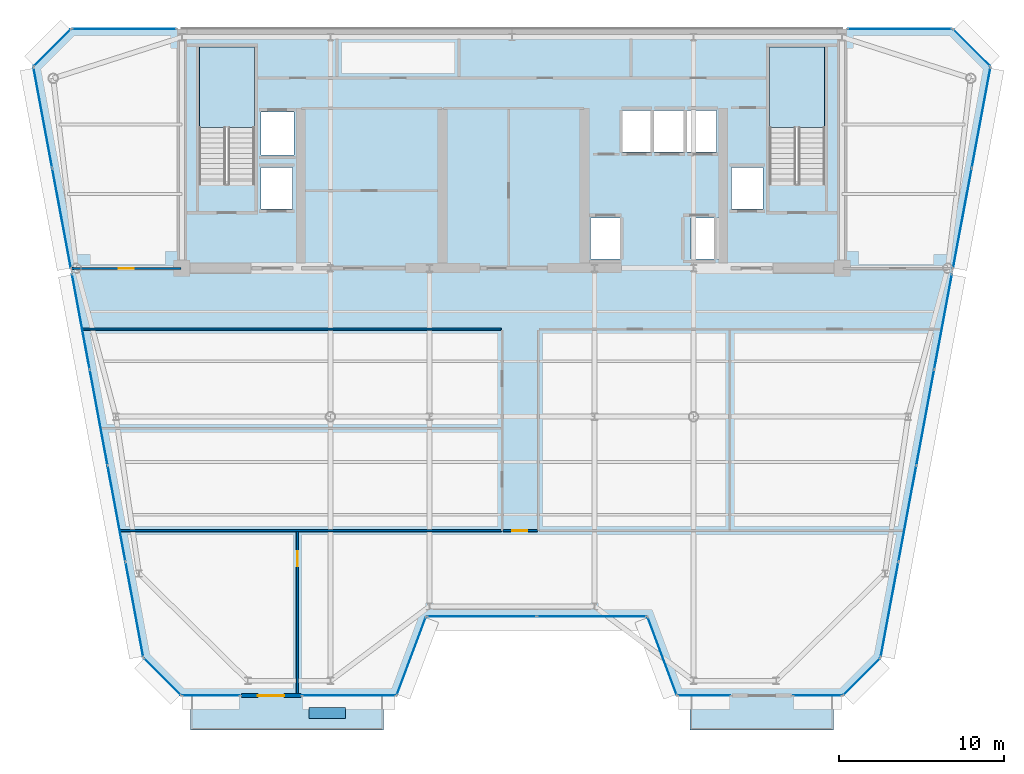
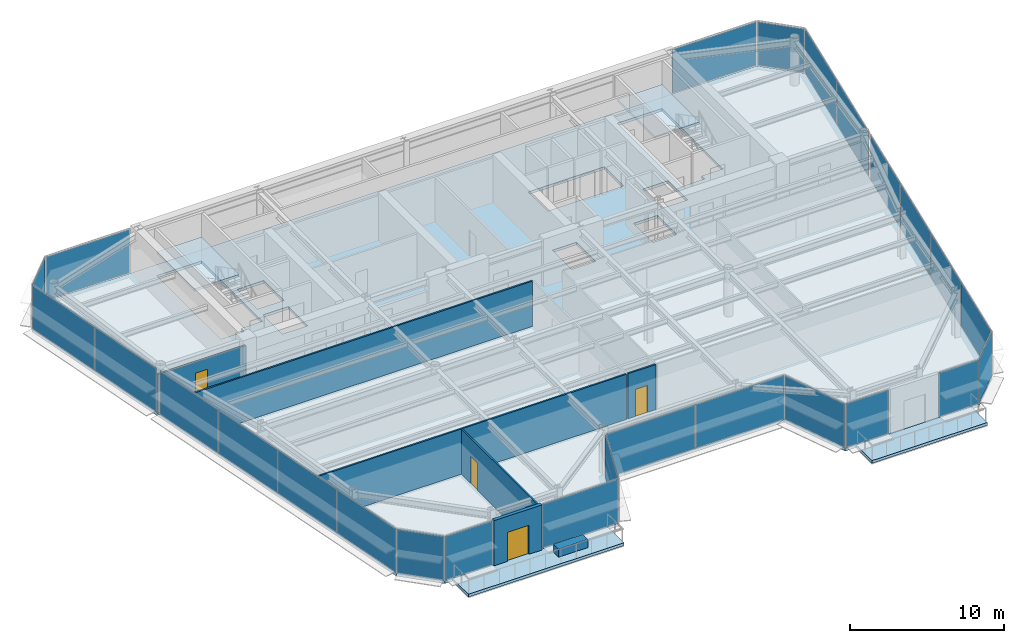
# One storey, part 8 of 14: 26 plates, 7 walls, 5 slabs, 4 doors, 4 openings, 19 elements without a shape of their own.
"""IFC4 building model written with IfcOpenShell, lengths in metres."""

from ifc_helpers import new_model, si_unit, direction, frame, frame_2d, origin, origin_2d, place, context, subcontext, project, spatial, polyline, rectangle, outline, extrude, source, transform, mapped, material, layer, layer_set, type_object, element, fill, aggregate, save


model = new_model("IFC4")

# Units and contexts
model_context = context("Model", 3, precision=1e-05, world=origin(), true_north=direction((0.0, 1.0)))
body_context = subcontext(model_context, "Body", "Model", "MODEL_VIEW")
ifc_project = project(units=[si_unit("LENGTHUNIT", "METRE"), si_unit("AREAUNIT", "SQUARE_METRE"), si_unit("VOLUMEUNIT", "CUBIC_METRE"), si_unit("PLANEANGLEUNIT", "RADIAN"), si_unit("MASSUNIT", "GRAM", prefix="KILO")], contexts=[model_context])

# Site, building, storey
site_placement = place(None, origin())
site = spatial("IfcSite", under=ifc_project, at=site_placement, CompositionType="ELEMENT")
building_placement = place(site_placement, origin())
building = spatial("IfcBuilding", under=site, at=building_placement, Name="Vaeldorn Concourse Tower", CompositionType="ELEMENT")
storey_placement = place(building_placement, frame((0.0, 0.0, 238.39990234375)))
storey = spatial("IfcBuildingStorey", under=building, at=storey_placement, Name="L61", CompositionType="ELEMENT", Elevation=238.39990234375)

# Slabs
ifc_material_1 = material(Name="Concrete C40/50", Category="concrete")
ifc_layer_1 = layer(ifc_material_1, 0.219970703125)
ifc_layer_set_1 = layer_set([ifc_layer_1], Name="Concrete C40/50")
slab_type_1 = type_object("IfcSlabType", Name="SL-SKYGARDEN", PredefinedType="FLOOR", material=ifc_layer_set_1)
slab_1_placement = place(storey_placement, frame((0.0, 0.0, -0.219970703125)))
element("IfcSlab", 1, at=slab_1_placement, inside=storey, type_object=slab_type_1, Name="High-Rise South Sky Garden Terrace Slab 1", PredefinedType="FLOOR", context=body_context, shape_type="SweptSolid", body=[
    extrude(outline(polyline([(14.529052734375, 8.52001953125), (26.199951171875, 8.52001953125), (26.199951171875, 10.580078125), (14.529052734375, 10.580078125), (14.529052734375, 8.52001953125)])), origin(), (0.0, 0.0, 1.0), 0.219970703125),
])
slab_2_placement = place(storey_placement, frame((0.0, 0.0, -0.219970703125)))
element("IfcSlab", 2, at=slab_2_placement, inside=storey, type_object=slab_type_1, Name="High-Rise South Sky Garden Terrace Slab 2", PredefinedType="FLOOR", context=body_context, shape_type="SweptSolid", body=[
    extrude(outline(polyline([(44.800048828125, 8.52001953125), (53.470947265625, 8.52001953125), (53.470947265625, 10.580078125), (44.800048828125, 10.580078125), (44.800048828125, 8.52001953125)])), origin(), (0.0, 0.0, 1.0), 0.219970703125),
])

# Stair, slab
ifc_material_2 = material(Name="Precast concrete C40/50", Category="concrete")
stair_type = type_object("IfcStairType", Name="STR-DOG-24x158", PredefinedType="HALF_TURN_STAIR", material=ifc_material_2)
stair_1_placement = place(storey_placement, origin())
stair_1 = element("IfcStair", 3, at=stair_1_placement, inside=storey, type_object=stair_type, Name="L61 West Core Exit Stair ST-1", PredefinedType="HALF_TURN_STAIR")
ifc_layer_2 = layer(ifc_material_1, 0.199951171875)
ifc_layer_set_2 = layer_set([ifc_layer_2], Name="Concrete C40/50")
slab_type_2 = type_object("IfcSlabType", Name="SL-STAIR-LANDING", PredefinedType="LANDING", material=ifc_layer_set_2)
slab_3_placement = place(storey_placement, frame((0.0, 0.0, 1.7001953125)))
slab_3 = element("IfcSlab", 4, at=slab_3_placement, type_object=slab_type_2, Name="ST-1 landing 1", PredefinedType="LANDING", context=body_context, shape_type="SweptSolid", body=[
    extrude(outline(polyline([(18.39990234375, 45.010009765625), (18.39990234375, 49.89990234375), (15.050048828125, 49.89990234375), (15.050048828125, 45.010009765625), (18.39990234375, 45.010009765625)])), origin(), (0.0, 0.0, 1.0), 0.199951171875),
])
aggregate(stair_1, [slab_3])

stair_2_placement = place(storey_placement, origin())
stair_2 = element("IfcStair", 5, at=stair_2_placement, inside=storey, type_object=stair_type, Name="L61 East Core Exit Stair ST-2", PredefinedType="HALF_TURN_STAIR")
slab_4_placement = place(storey_placement, frame((0.0, 0.0, 1.7001953125)))
slab_4 = element("IfcSlab", 6, at=slab_4_placement, type_object=slab_type_2, Name="ST-2 landing 1", PredefinedType="LANDING", context=body_context, shape_type="SweptSolid", body=[
    extrude(outline(polyline([(52.949951171875, 45.010009765625), (52.949951171875, 49.89990234375), (49.60009765625, 49.89990234375), (49.60009765625, 45.010009765625), (52.949951171875, 45.010009765625)])), origin(), (0.0, 0.0, 1.0), 0.199951171875),
])
aggregate(stair_2, [slab_4])

# Slab
ifc_layer_3 = layer(ifc_material_1, 0.219970703125)
ifc_layer_set_3 = layer_set([ifc_layer_3], Name="Concrete C40/50")
slab_type_3 = type_object("IfcSlabType", Name="SL-TYP-220", PredefinedType="FLOOR", material=ifc_layer_set_3)
slab_5_placement = place(storey_placement, frame((0.0, 0.0, -0.219970703125)))
element("IfcSlab", 7, at=slab_5_placement, inside=storey, type_object=slab_type_3, Name="Structural Floor Slab L61", PredefinedType="FLOOR", context=body_context, shape_type="SweptSolid", body=[
    extrude(outline(polyline([(13.966064453125, 10.60009765625), (27.0, 10.60009765625), (28.800048828125, 15.39990234375), (42.199951171875, 15.39990234375), (44.0, 10.60009765625), (54.033935546875, 10.60009765625), (56.333984375, 12.89990234375), (63.0, 48.699951171875), (60.699951171875, 51.0), (7.300048828125, 51.0), (5.0, 48.699951171875), (11.666015625, 12.89990234375), (13.966064453125, 10.60009765625)]), holes=[polyline([(18.39990234375, 42.0), (18.39990234375, 49.89990234375), (15.050048828125, 49.89990234375), (15.050048828125, 41.60009765625), (16.800048828125, 41.60009765625), (16.800048828125, 42.0), (18.39990234375, 42.0)]), polyline([(52.949951171875, 42.0), (52.949951171875, 49.89990234375), (49.60009765625, 49.89990234375), (49.60009765625, 41.60009765625), (51.35009765625, 41.60009765625), (51.35009765625, 42.0), (52.949951171875, 42.0)]), polyline([(38.75, 37.050048828125), (40.550048828125, 37.050048828125), (40.550048828125, 39.550048828125), (38.75, 39.550048828125), (38.75, 37.050048828125)]), polyline([(44.85009765625, 37.050048828125), (46.64990234375, 37.050048828125), (46.64990234375, 39.550048828125), (44.85009765625, 39.550048828125), (44.85009765625, 37.050048828125)]), polyline([(40.699951171875, 43.550048828125), (46.39990234375, 43.550048828125), (46.39990234375, 46.050048828125), (40.699951171875, 46.050048828125), (40.699951171875, 43.550048828125)]), polyline([(18.800048828125, 43.35009765625), (20.800048828125, 43.35009765625), (20.800048828125, 45.949951171875), (18.800048828125, 45.949951171875), (18.800048828125, 43.35009765625)]), polyline([(18.800048828125, 40.10009765625), (20.699951171875, 40.10009765625), (20.699951171875, 42.60009765625), (18.800048828125, 42.60009765625), (18.800048828125, 40.10009765625)]), polyline([(47.300048828125, 40.10009765625), (49.199951171875, 40.10009765625), (49.199951171875, 42.60009765625), (47.300048828125, 42.60009765625), (47.300048828125, 40.10009765625)])]), origin(), (0.0, 0.0, 1.0), 0.219970703125),
])

# Curtain wall, plate
ifc_material_3 = material(Name="Anodised Bronze Aluminium", Category="aluminium")
ifc_layer_4 = layer(ifc_material_3, 0.2099609375)
ifc_layer_set_4 = layer_set([ifc_layer_4], Name="Anodised Bronze Aluminium")
curtain_wall_type_1 = type_object("IfcCurtainWallType", Name="CW-SYS-06", PredefinedType="NOTDEFINED", material=ifc_layer_set_4)
curtain_wall_1_placement = place(storey_placement, origin())
curtain_wall_1 = element("IfcCurtainWall", 8, at=curtain_wall_1_placement, inside=storey, type_object=curtain_wall_type_1, Name="Unitised Curtain Wall CW-L61-E02-1", PredefinedType="NOTDEFINED")
ifc_material_4 = material(Name="Bronze Tinted Low-E Insulated Glass", Category="glass")
ifc_layer_5 = layer(ifc_material_4, 0.031982421875)
ifc_layer_set_5 = layer_set([ifc_layer_5], Name="Bronze Tinted Low-E Insulated Glass")
plate_type = type_object("IfcPlateType", Name="CWP-VISION-32", PredefinedType="CURTAIN_PANEL", material=ifc_layer_set_5)
shared_shape_1 = source(origin(), body_context, "Body", "SweptSolid", [
    extrude(rectangle(XDim=4.996337890625, YDim=0.031982421875, at=origin_2d()), origin(), (0.0, 0.0, 1.0), 3.449951171875),
])
plate_1_placement = place(storey_placement, frame((27.89990234375, 13.0, 0.06494140625), z_axis=(0.0, 0.0, 1.0), x_axis=(0.351123441595, 0.936329177566, 0.0)))
plate_1 = element("IfcPlate", 9, at=plate_1_placement, type_object=plate_type, Name="CW-06 panel 1.1", PredefinedType="CURTAIN_PANEL", context=body_context, shape_type="MappedRepresentation", body=[
    mapped(shared_shape_1, transform((0.0, 0.0, 0.0), scale=1.0)),
])
aggregate(curtain_wall_1, [plate_1])

curtain_wall_2_placement = place(storey_placement, origin())
curtain_wall_2 = element("IfcCurtainWall", 10, at=curtain_wall_2_placement, inside=storey, type_object=curtain_wall_type_1, Name="Unitised Curtain Wall CW-L61-E04-1", PredefinedType="NOTDEFINED")
plate_2_placement = place(storey_placement, frame((43.10009765625, 13.0, 0.06494140625), z_axis=(0.0, 0.0, 1.0), x_axis=(0.351123441595, -0.936329177566, 0.0)))
plate_2 = element("IfcPlate", 11, at=plate_2_placement, type_object=plate_type, Name="CW-06 panel 1.1", PredefinedType="CURTAIN_PANEL", context=body_context, shape_type="MappedRepresentation", body=[
    mapped(shared_shape_1, transform((0.0, 0.0, 0.0), scale=1.0)),
])
aggregate(curtain_wall_2, [plate_2])

# Curtain wall, plates
curtain_wall_3_placement = place(storey_placement, origin())
curtain_wall_3 = element("IfcCurtainWall", 12, at=curtain_wall_3_placement, inside=storey, type_object=curtain_wall_type_1, Name="Unitised Curtain Wall CW-L61-E03-1", PredefinedType="NOTDEFINED")
shared_shape_2 = source(origin(), body_context, "Body", "SweptSolid", [
    extrude(rectangle(XDim=6.6025390625, YDim=0.031982421875, at=origin_2d()), origin(), (0.0, 0.0, 1.0), 3.449951171875),
])
plate_3_placement = place(storey_placement, frame((32.166259765625, 15.39990234375, 0.06494140625), z_axis=(0.0, 0.0, 1.0), x_axis=(1.0, 0.0, 0.0)))
plate_3 = element("IfcPlate", 13, at=plate_3_placement, type_object=plate_type, Name="CW-06 panel 1.1", PredefinedType="CURTAIN_PANEL", context=body_context, shape_type="MappedRepresentation", body=[
    mapped(shared_shape_2, transform((0.0, 0.0, 0.0), scale=1.0)),
])
plate_4_placement = place(storey_placement, frame((38.833740234375, 15.39990234375, 0.06494140625), z_axis=(0.0, 0.0, 1.0), x_axis=(1.0, 0.0, 0.0)))
plate_4 = element("IfcPlate", 14, at=plate_4_placement, type_object=plate_type, Name="CW-06 panel 2.1", PredefinedType="CURTAIN_PANEL", context=body_context, shape_type="MappedRepresentation", body=[
    mapped(shared_shape_2, transform((0.0, 0.0, 0.0), scale=1.0)),
])
aggregate(curtain_wall_3, [plate_3, plate_4])

# Curtain wall, plate
curtain_wall_4_placement = place(storey_placement, origin())
curtain_wall_4 = element("IfcCurtainWall", 15, at=curtain_wall_4_placement, inside=storey, type_object=curtain_wall_type_1, Name="Unitised Curtain Wall CW-L61-E06-1", PredefinedType="NOTDEFINED")
shared_shape_3 = source(origin(), body_context, "Body", "SweptSolid", [
    extrude(rectangle(XDim=3.122802734375, YDim=0.031982421875, at=origin_2d()), origin(), (0.0, 0.0, 1.0), 3.449951171875),
])
plate_5_placement = place(storey_placement, frame((55.18408203125, 11.75, 0.06494140625), z_axis=(0.0, 0.0, 1.0), x_axis=(0.707106781187, 0.707106781187, 0.0)))
plate_5 = element("IfcPlate", 16, at=plate_5_placement, type_object=plate_type, Name="CW-06 panel 1.1", PredefinedType="CURTAIN_PANEL", context=body_context, shape_type="MappedRepresentation", body=[
    mapped(shared_shape_3, transform((0.0, 0.0, 0.0), scale=1.0)),
])
aggregate(curtain_wall_4, [plate_5])

ifc_layer_6 = layer(ifc_material_3, 0.179931640625)
ifc_layer_set_6 = layer_set([ifc_layer_6], Name="Anodised Bronze Aluminium")
curtain_wall_type_2 = type_object("IfcCurtainWallType", Name="CW-SYS-05", PredefinedType="NOTDEFINED", material=ifc_layer_set_6)
curtain_wall_5_placement = place(storey_placement, origin())
curtain_wall_5 = element("IfcCurtainWall", 17, at=curtain_wall_5_placement, inside=storey, type_object=curtain_wall_type_2, Name="Unitised Curtain Wall CW-L61-E08-1", PredefinedType="NOTDEFINED")
plate_6_placement = place(storey_placement, frame((61.85009765625, 49.85009765625, 0.06494140625), z_axis=(0.0, 0.0, 1.0), x_axis=(-0.707106781187, 0.707106781187, 0.0)))
plate_6 = element("IfcPlate", 18, at=plate_6_placement, type_object=plate_type, Name="CW-05 panel 1.1", PredefinedType="CURTAIN_PANEL", context=body_context, shape_type="MappedRepresentation", body=[
    mapped(shared_shape_3, transform((0.0, 0.0, 0.0), scale=1.0)),
])
aggregate(curtain_wall_5, [plate_6])

curtain_wall_6_placement = place(storey_placement, origin())
curtain_wall_6 = element("IfcCurtainWall", 19, at=curtain_wall_6_placement, inside=storey, type_object=curtain_wall_type_2, Name="Unitised Curtain Wall CW-L61-E10-1", PredefinedType="NOTDEFINED")
plate_7_placement = place(storey_placement, frame((6.14990234375, 49.85009765625, 0.06494140625), z_axis=(0.0, 0.0, 1.0), x_axis=(-0.707106781187, -0.707106781187, 0.0)))
plate_7 = element("IfcPlate", 20, at=plate_7_placement, type_object=plate_type, Name="CW-05 panel 1.1", PredefinedType="CURTAIN_PANEL", context=body_context, shape_type="MappedRepresentation", body=[
    mapped(shared_shape_3, transform((0.0, 0.0, 0.0), scale=1.0)),
])
aggregate(curtain_wall_6, [plate_7])

curtain_wall_7_placement = place(storey_placement, origin())
curtain_wall_7 = element("IfcCurtainWall", 21, at=curtain_wall_7_placement, inside=storey, type_object=curtain_wall_type_1, Name="Unitised Curtain Wall CW-L61-E12-1", PredefinedType="NOTDEFINED")
plate_8_placement = place(storey_placement, frame((12.81591796875, 11.75, 0.06494140625), z_axis=(0.0, 0.0, 1.0), x_axis=(0.707106781187, -0.707106781187, 0.0)))
plate_8 = element("IfcPlate", 22, at=plate_8_placement, type_object=plate_type, Name="CW-06 panel 1.1", PredefinedType="CURTAIN_PANEL", context=body_context, shape_type="MappedRepresentation", body=[
    mapped(shared_shape_3, transform((0.0, 0.0, 0.0), scale=1.0)),
])
aggregate(curtain_wall_7, [plate_8])

curtain_wall_8_placement = place(storey_placement, origin())
curtain_wall_8 = element("IfcCurtainWall", 23, at=curtain_wall_8_placement, inside=storey, type_object=curtain_wall_type_2, Name="Unitised Curtain Wall CW-L61-E09-1", PredefinedType="NOTDEFINED")
shared_shape_4 = source(origin(), body_context, "Body", "SweptSolid", [
    extrude(rectangle(XDim=6.27490234375, YDim=0.031982421875, at=origin_2d()), origin(), (0.0, 0.0, 1.0), 3.449951171875),
])
plate_9_placement = place(storey_placement, frame((57.49755859375, 51.0, 0.06494140625), z_axis=(0.0, 0.0, 1.0), x_axis=(-1.0, 0.0, 0.0)))
plate_9 = element("IfcPlate", 24, at=plate_9_placement, type_object=plate_type, Name="CW-05 panel 1.1", PredefinedType="CURTAIN_PANEL", context=body_context, shape_type="MappedRepresentation", body=[
    mapped(shared_shape_4, transform((0.0, 0.0, 0.0), scale=1.0)),
])
aggregate(curtain_wall_8, [plate_9])

curtain_wall_9_placement = place(storey_placement, origin())
curtain_wall_9 = element("IfcCurtainWall", 25, at=curtain_wall_9_placement, inside=storey, type_object=curtain_wall_type_2, Name="Unitised Curtain Wall CW-L61-E09-2", PredefinedType="NOTDEFINED")
plate_10_placement = place(storey_placement, frame((10.50244140625, 51.0, 0.06494140625), z_axis=(0.0, 0.0, 1.0), x_axis=(-1.0, 0.0, 0.0)))
plate_10 = element("IfcPlate", 26, at=plate_10_placement, type_object=plate_type, Name="CW-05 panel 1.1", PredefinedType="CURTAIN_PANEL", context=body_context, shape_type="MappedRepresentation", body=[
    mapped(shared_shape_4, transform((0.0, 0.0, 0.0), scale=1.0)),
])
aggregate(curtain_wall_9, [plate_10])

curtain_wall_10_placement = place(storey_placement, origin())
curtain_wall_10 = element("IfcCurtainWall", 27, at=curtain_wall_10_placement, inside=storey, type_object=curtain_wall_type_1, Name="Unitised Curtain Wall CW-L61-E01-1", PredefinedType="NOTDEFINED")
shared_shape_5 = source(origin(), body_context, "Body", "SweptSolid", [
    extrude(rectangle(XDim=3.464111328125, YDim=0.031982421875, at=origin_2d()), origin(), (0.0, 0.0, 1.0), 3.449951171875),
])
plate_11_placement = place(storey_placement, frame((15.762939453125, 10.60009765625, 0.06494140625), z_axis=(0.0, 0.0, 1.0), x_axis=(1.0, 0.0, 0.0)))
plate_11 = element("IfcPlate", 28, at=plate_11_placement, type_object=plate_type, Name="CW-06 panel 1.1", PredefinedType="CURTAIN_PANEL", context=body_context, shape_type="MappedRepresentation", body=[
    mapped(shared_shape_5, transform((0.0, 0.0, 0.0), scale=1.0)),
])
aggregate(curtain_wall_10, [plate_11])

curtain_wall_11_placement = place(storey_placement, origin())
curtain_wall_11 = element("IfcCurtainWall", 29, at=curtain_wall_11_placement, inside=storey, type_object=curtain_wall_type_1, Name="Unitised Curtain Wall CW-L61-E01-2", PredefinedType="NOTDEFINED")
shared_shape_6 = source(origin(), body_context, "Body", "SweptSolid", [
    extrude(rectangle(XDim=5.6298828125, YDim=0.031982421875, at=origin_2d()), origin(), (0.0, 0.0, 1.0), 3.449951171875),
])
plate_12_placement = place(storey_placement, frame((24.1201171875, 10.60009765625, 0.06494140625), z_axis=(0.0, 0.0, 1.0), x_axis=(1.0, 0.0, 0.0)))
plate_12 = element("IfcPlate", 30, at=plate_12_placement, type_object=plate_type, Name="CW-06 panel 1.1", PredefinedType="CURTAIN_PANEL", context=body_context, shape_type="MappedRepresentation", body=[
    mapped(shared_shape_6, transform((0.0, 0.0, 0.0), scale=1.0)),
])
aggregate(curtain_wall_11, [plate_12])

curtain_wall_12_placement = place(storey_placement, origin())
curtain_wall_12 = element("IfcCurtainWall", 31, at=curtain_wall_12_placement, inside=storey, type_object=curtain_wall_type_1, Name="Unitised Curtain Wall CW-L61-E05-1", PredefinedType="NOTDEFINED")
shared_shape_7 = source(origin(), body_context, "Body", "SweptSolid", [
    extrude(rectangle(XDim=3.169921875, YDim=0.031982421875, at=origin_2d()), origin(), (0.0, 0.0, 1.0), 3.449951171875),
])
plate_13_placement = place(storey_placement, frame((45.64990234375, 10.60009765625, 0.06494140625), z_axis=(0.0, 0.0, 1.0), x_axis=(1.0, 0.0, 0.0)))
plate_13 = element("IfcPlate", 32, at=plate_13_placement, type_object=plate_type, Name="CW-06 panel 1.1", PredefinedType="CURTAIN_PANEL", context=body_context, shape_type="MappedRepresentation", body=[
    mapped(shared_shape_7, transform((0.0, 0.0, 0.0), scale=1.0)),
])
aggregate(curtain_wall_12, [plate_13])

curtain_wall_13_placement = place(storey_placement, origin())
curtain_wall_13 = element("IfcCurtainWall", 33, at=curtain_wall_13_placement, inside=storey, type_object=curtain_wall_type_1, Name="Unitised Curtain Wall CW-L61-E05-2", PredefinedType="NOTDEFINED")
shared_shape_8 = source(origin(), body_context, "Body", "SweptSolid", [
    extrude(rectangle(XDim=2.924072265625, YDim=0.031982421875, at=origin_2d()), origin(), (0.0, 0.0, 1.0), 3.449951171875),
])
plate_14_placement = place(storey_placement, frame((52.507080078125, 10.60009765625, 0.06494140625), z_axis=(0.0, 0.0, 1.0), x_axis=(1.0, 0.0, 0.0)))
plate_14 = element("IfcPlate", 34, at=plate_14_placement, type_object=plate_type, Name="CW-06 panel 1.1", PredefinedType="CURTAIN_PANEL", context=body_context, shape_type="MappedRepresentation", body=[
    mapped(shared_shape_8, transform((0.0, 0.0, 0.0), scale=1.0)),
])
aggregate(curtain_wall_13, [plate_14])

# Curtain wall, plates
curtain_wall_14_placement = place(storey_placement, origin())
curtain_wall_14 = element("IfcCurtainWall", 35, at=curtain_wall_14_placement, inside=storey, type_object=curtain_wall_type_1, Name="Unitised Curtain Wall CW-L61-E07-1", PredefinedType="NOTDEFINED")
shared_shape_9 = source(origin(), body_context, "Body", "SweptSolid", [
    extrude(rectangle(XDim=5.82373046875, YDim=0.031982421875, at=origin_2d()), origin(), (0.0, 0.0, 1.0), 3.449951171875),
])
plate_15_placement = place(storey_placement, frame((56.87890625, 15.82666015625, 0.06494140625), z_axis=(0.0, 0.0, 1.0), x_axis=(0.18305510739, 0.983102653673, 0.0)))
plate_15 = element("IfcPlate", 36, at=plate_15_placement, type_object=plate_type, Name="CW-06 panel 1.1", PredefinedType="CURTAIN_PANEL", context=body_context, shape_type="MappedRepresentation", body=[
    mapped(shared_shape_9, transform((0.0, 0.0, 0.0), scale=1.0)),
])
plate_16_placement = place(storey_placement, frame((60.124755859375, 33.25830078125, 0.06494140625), z_axis=(0.0, 0.0, 1.0), x_axis=(0.18305510739, 0.983102653673, 0.0)))
plate_16 = element("IfcPlate", 37, at=plate_16_placement, type_object=plate_type, Name="CW-06 panel 4.1", PredefinedType="CURTAIN_PANEL", context=body_context, shape_type="MappedRepresentation", body=[
    mapped(shared_shape_9, transform((0.0, 0.0, 0.0), scale=1.0)),
])

curtain_wall_15_placement = place(storey_placement, origin())
curtain_wall_15 = element("IfcCurtainWall", 38, at=curtain_wall_15_placement, inside=storey, type_object=curtain_wall_type_1, Name="Unitised Curtain Wall CW-L61-E11-2", PredefinedType="NOTDEFINED")
plate_17_placement = place(storey_placement, frame((7.875244140625, 33.25830078125, 0.06494140625), z_axis=(0.0, 0.0, 1.0), x_axis=(0.18305510739, -0.983102653673, 0.0)))
plate_17 = element("IfcPlate", 39, at=plate_17_placement, type_object=plate_type, Name="CW-06 panel 1.1", PredefinedType="CURTAIN_PANEL", context=body_context, shape_type="MappedRepresentation", body=[
    mapped(shared_shape_9, transform((0.0, 0.0, 0.0), scale=1.0)),
])
plate_18_placement = place(storey_placement, frame((11.12109375, 15.82666015625, 0.06494140625), z_axis=(0.0, 0.0, 1.0), x_axis=(0.18305510739, -0.983102653673, 0.0)))
plate_18 = element("IfcPlate", 40, at=plate_18_placement, type_object=plate_type, Name="CW-06 panel 4.1", PredefinedType="CURTAIN_PANEL", context=body_context, shape_type="MappedRepresentation", body=[
    mapped(shared_shape_9, transform((0.0, 0.0, 0.0), scale=1.0)),
])

# Plate
shared_shape_10 = source(origin(), body_context, "Body", "SweptSolid", [
    extrude(rectangle(XDim=5.856201171875, YDim=0.031982421875, at=origin_2d()), origin(), (0.0, 0.0, 1.0), 3.449951171875),
])
plate_19_placement = place(storey_placement, frame((57.9599609375, 21.6318359375, 0.06494140625), z_axis=(0.0, 0.0, 1.0), x_axis=(0.18305510739, 0.983102653673, 0.0)))
plate_19 = element("IfcPlate", 41, at=plate_19_placement, type_object=plate_type, Name="CW-06 panel 2.1", PredefinedType="CURTAIN_PANEL", context=body_context, shape_type="MappedRepresentation", body=[
    mapped(shared_shape_10, transform((0.0, 0.0, 0.0), scale=1.0)),
])

plate_20_placement = place(storey_placement, frame((59.043701171875, 27.453125, 0.06494140625), z_axis=(0.0, 0.0, 1.0), x_axis=(0.18305510739, 0.983102653673, 0.0)))
plate_20 = element("IfcPlate", 42, at=plate_20_placement, type_object=plate_type, Name="CW-06 panel 3.1", PredefinedType="CURTAIN_PANEL", context=body_context, shape_type="MappedRepresentation", body=[
    mapped(shared_shape_10, transform((0.0, 0.0, 0.0), scale=1.0)),
])

aggregate(curtain_wall_14, [plate_15, plate_19, plate_20, plate_16])

plate_21_placement = place(storey_placement, frame((8.956298828125, 27.453125, 0.06494140625), z_axis=(0.0, 0.0, 1.0), x_axis=(0.18305510739, -0.983102653673, 0.0)))
plate_21 = element("IfcPlate", 43, at=plate_21_placement, type_object=plate_type, Name="CW-06 panel 2.1", PredefinedType="CURTAIN_PANEL", context=body_context, shape_type="MappedRepresentation", body=[
    mapped(shared_shape_10, transform((0.0, 0.0, 0.0), scale=1.0)),
])

plate_22_placement = place(storey_placement, frame((10.0400390625, 21.6318359375, 0.06494140625), z_axis=(0.0, 0.0, 1.0), x_axis=(0.18305510739, -0.983102653673, 0.0)))
plate_22 = element("IfcPlate", 44, at=plate_22_placement, type_object=plate_type, Name="CW-06 panel 3.1", PredefinedType="CURTAIN_PANEL", context=body_context, shape_type="MappedRepresentation", body=[
    mapped(shared_shape_10, transform((0.0, 0.0, 0.0), scale=1.0)),
])

aggregate(curtain_wall_15, [plate_17, plate_21, plate_22, plate_18])

# Curtain wall, plates
curtain_wall_16_placement = place(storey_placement, origin())
curtain_wall_16 = element("IfcCurtainWall", 45, at=curtain_wall_16_placement, inside=storey, type_object=curtain_wall_type_1, Name="Unitised Curtain Wall CW-L61-E07-2", PredefinedType="NOTDEFINED")
shared_shape_11 = source(origin(), body_context, "Body", "SweptSolid", [
    extrude(rectangle(XDim=6.143798828125, YDim=0.031982421875, at=origin_2d()), origin(), (0.0, 0.0, 1.0), 3.449951171875),
])
plate_23_placement = place(storey_placement, frame((61.289306640625, 39.51220703125, 0.06494140625), z_axis=(0.0, 0.0, 1.0), x_axis=(0.183054493257, 0.983102768025, 0.0)))
plate_23 = element("IfcPlate", 46, at=plate_23_placement, type_object=plate_type, Name="CW-06 panel 1.1", PredefinedType="CURTAIN_PANEL", context=body_context, shape_type="MappedRepresentation", body=[
    mapped(shared_shape_11, transform((0.0, 0.0, 0.0), scale=1.0)),
])
plate_24_placement = place(storey_placement, frame((62.42578125, 45.6162109375, 0.06494140625), z_axis=(0.0, 0.0, 1.0), x_axis=(0.183054493257, 0.983102768025, 0.0)))
plate_24 = element("IfcPlate", 47, at=plate_24_placement, type_object=plate_type, Name="CW-06 panel 2.1", PredefinedType="CURTAIN_PANEL", context=body_context, shape_type="MappedRepresentation", body=[
    mapped(shared_shape_11, transform((0.0, 0.0, 0.0), scale=1.0)),
])
aggregate(curtain_wall_16, [plate_23, plate_24])

curtain_wall_17_placement = place(storey_placement, origin())
curtain_wall_17 = element("IfcCurtainWall", 48, at=curtain_wall_17_placement, inside=storey, type_object=curtain_wall_type_1, Name="Unitised Curtain Wall CW-L61-E11-1", PredefinedType="NOTDEFINED")
plate_25_placement = place(storey_placement, frame((5.57421875, 45.6162109375, 0.06494140625), z_axis=(0.0, 0.0, 1.0), x_axis=(0.183054493257, -0.983102768025, 0.0)))
plate_25 = element("IfcPlate", 49, at=plate_25_placement, type_object=plate_type, Name="CW-06 panel 1.1", PredefinedType="CURTAIN_PANEL", context=body_context, shape_type="MappedRepresentation", body=[
    mapped(shared_shape_11, transform((0.0, 0.0, 0.0), scale=1.0)),
])
plate_26_placement = place(storey_placement, frame((6.710693359375, 39.51220703125, 0.06494140625), z_axis=(0.0, 0.0, 1.0), x_axis=(0.183054493257, -0.983102768025, 0.0)))
plate_26 = element("IfcPlate", 50, at=plate_26_placement, type_object=plate_type, Name="CW-06 panel 2.1", PredefinedType="CURTAIN_PANEL", context=body_context, shape_type="MappedRepresentation", body=[
    mapped(shared_shape_11, transform((0.0, 0.0, 0.0), scale=1.0)),
])
aggregate(curtain_wall_17, [plate_25, plate_26])

# Wall, opening, door
ifc_layer_7 = layer(ifc_material_2, 0.25)
ifc_layer_set_7 = layer_set([ifc_layer_7], Name="Precast concrete C40/50")
wall_type_1 = type_object("IfcWallType", Name="WL-EXT-TERRACE-250", PredefinedType="STANDARD", material=ifc_layer_set_7)
wall_1_placement = place(storey_placement, frame((21.199951171875, 10.60009765625, 0.0), z_axis=(0.0, 0.0, 1.0), x_axis=(-1.0, 0.0, 0.0)))
wall_1 = element("IfcWall", 51, at=wall_1_placement, inside=storey, type_object=wall_type_1, Name="Sawtooth Sky Garden Portal Wall L61-1", PredefinedType="STANDARD", context=body_context, shape_type="SweptSolid", body=[
    extrude(rectangle(XDim=3.599853515625, YDim=0.25, at=frame_2d((1.7998046875, 0.0))), origin(), (0.0, 0.0, 1.0), 3.580078125),
])
opening_1_placement = place(wall_1_placement, frame((1.0, 0.0, 0.0)))
opening_1 = element("IfcOpeningElement", 52, at=opening_1_placement, cuts=wall_1, Name="Opening DG-1", PredefinedType="OPENING", context=body_context, shape_type="SweptSolid", body=[
    extrude(rectangle(XDim=1.60009765625, YDim=2.300048828125, at=frame_2d((0.800048828125, 1.14990234375))), frame((0.0, 0.135009765625, 0.0), z_axis=(0.0, -1.0, 0.0), x_axis=(1.0, 0.0, 0.0)), (0.0, 0.0, 1.0), 0.27001953125),
])
door_type_1 = type_object("IfcDoorType", Name="DR-EXTERNAL-1600", OperationType="DOUBLE_DOOR_SINGLE_SWING", PredefinedType="DOOR", material=ifc_material_3)
shared_shape_12 = source(origin(), body_context, "Body", "SweptSolid", [
    extrude(rectangle(XDim=1.60009765625, YDim=2.300048828125, at=frame_2d((0.800048828125, 1.14990234375))), frame((0.0, 0.02490234375, 0.0), z_axis=(0.0, -1.0, 0.0), x_axis=(1.0, 0.0, 0.0)), (0.0, 0.0, 1.0), 0.050048828125),
])
door_1_placement = place(opening_1_placement, origin())
door_1 = element("IfcDoor", 53, at=door_1_placement, inside=storey, type_object=door_type_1, Name="Sawtooth Sky Garden Terrace Door L61-1", OperationType="DOUBLE_DOOR_SINGLE_SWING", OverallHeight=2.300048828125, OverallWidth=1.60009765625, PredefinedType="DOOR", context=body_context, shape_type="MappedRepresentation", body=[
    mapped(shared_shape_12, transform((0.0, 0.0, 0.0), scale=1.0)),
])
fill(opening_1, door_1)

# Wall
ifc_material_5 = material(Name="Gypsum Board Partition", Category="gypsum")
ifc_layer_8 = layer(ifc_material_5, 0.1201171875)
ifc_layer_set_8 = layer_set([ifc_layer_8], Name="Gypsum Board Partition")
wall_type_2 = type_object("IfcWallType", Name="WL-PART-120", PredefinedType="PARTITIONING", material=ifc_layer_set_8)
wall_2_placement = place(storey_placement, frame((8.00048828125, 32.800048828125, 0.0), z_axis=(0.0, 0.0, 1.0), x_axis=(1.0, 0.0, 0.0)))
element("IfcWall", 54, at=wall_2_placement, inside=storey, type_object=wall_type_2, Name="Interior Wall PW-L61-C2SW", PredefinedType="PARTITIONING", context=body_context, shape_type="SweptSolid", body=[
    extrude(rectangle(XDim=25.339599609375, YDim=0.1201171875, at=frame_2d((12.669921875, 0.0))), origin(), (0.0, 0.0, 1.0), 3.580078125),
])

# Wall, opening, door
wall_3_placement = place(storey_placement, frame((33.4599609375, 20.60009765625, 0.0), z_axis=(0.0, 0.0, 1.0), x_axis=(1.0, 0.0, 0.0)))
wall_3 = element("IfcWall", 55, at=wall_3_placement, inside=storey, type_object=wall_type_2, Name="Interior Wall PW-L61-SP2S", PredefinedType="PARTITIONING", context=body_context, shape_type="SweptSolid", body=[
    extrude(rectangle(XDim=2.080078125, YDim=0.1201171875, at=frame_2d((1.0400390625, 0.0))), origin(), (0.0, 0.0, 1.0), 3.580078125),
])
opening_2_placement = place(wall_3_placement, frame((0.550048828125, 0.0, 0.0)))
opening_2 = element("IfcOpeningElement", 56, at=opening_2_placement, cuts=wall_3, Name="Opening D-03", PredefinedType="OPENING", context=body_context, shape_type="SweptSolid", body=[
    extrude(rectangle(XDim=0.89990234375, YDim=2.14990234375, at=frame_2d((0.449951171875, 1.074951171875))), frame((0.0, 0.070068359375, 0.0), z_axis=(0.0, -1.0, 0.0), x_axis=(1.0, 0.0, 0.0)), (0.0, 0.0, 1.0), 0.14013671875),
])
ifc_material_6 = material(Name="Acoustic Bronze-Framed Glass Door", Category="glass")
door_type_2 = type_object("IfcDoorType", Name="DR-INT-900", OperationType="NOTDEFINED", PredefinedType="DOOR", material=ifc_material_6)
shared_shape_13 = source(origin(), body_context, "Body", "SweptSolid", [
    extrude(rectangle(XDim=0.89990234375, YDim=2.14990234375, at=frame_2d((0.449951171875, 1.074951171875))), frame((0.0, 0.02490234375, 0.0), z_axis=(0.0, -1.0, 0.0), x_axis=(1.0, 0.0, 0.0)), (0.0, 0.0, 1.0), 0.050048828125),
])
door_2_placement = place(opening_2_placement, origin())
door_2 = element("IfcDoor", 57, at=door_2_placement, inside=storey, type_object=door_type_2, Name="Interior Door DR-L61-Z2SFM", OperationType="SINGLE_SWING_LEFT", OverallHeight=2.14990234375, OverallWidth=0.89990234375, PredefinedType="DOOR", context=body_context, shape_type="MappedRepresentation", body=[
    mapped(shared_shape_13, transform((0.0, 0.0, 0.0), scale=1.0)),
])
fill(opening_2, door_2)

wall_4_placement = place(storey_placement, frame((7.321044921875, 36.47998046875, 0.0), z_axis=(0.0, 0.0, 1.0), x_axis=(1.0, 0.0, 0.0)))
wall_4 = element("IfcWall", 58, at=wall_4_placement, inside=storey, type_object=wall_type_2, Name="Interior Wall PW-L61-NWS", PredefinedType="PARTITIONING", context=body_context, shape_type="SweptSolid", body=[
    extrude(rectangle(XDim=6.618896484375, YDim=0.1201171875, at=frame_2d((3.3095703125, 0.0))), origin(), (0.0, 0.0, 1.0), 3.02001953125),
])
opening_3_placement = place(wall_4_placement, frame((2.85888671875, 0.0, 0.0)))
opening_3 = element("IfcOpeningElement", 59, at=opening_3_placement, cuts=wall_4, Name="Opening D-03", PredefinedType="OPENING", context=body_context, shape_type="SweptSolid", body=[
    extrude(rectangle(XDim=0.89990234375, YDim=2.14990234375, at=frame_2d((0.449951171875, 1.074951171875))), frame((0.0, 0.070068359375, 0.0), z_axis=(0.0, -1.0, 0.0), x_axis=(1.0, 0.0, 0.0)), (0.0, 0.0, 1.0), 0.14013671875),
])
door_3_placement = place(opening_3_placement, origin())
door_3 = element("IfcDoor", 60, at=door_3_placement, inside=storey, type_object=door_type_2, Name="Interior Door DR-L61-NWC", OperationType="SINGLE_SWING_LEFT", OverallHeight=2.14990234375, OverallWidth=0.89990234375, PredefinedType="DOOR", context=body_context, shape_type="MappedRepresentation", body=[
    mapped(shared_shape_13, transform((0.0, 0.0, 0.0), scale=1.0)),
])
fill(opening_3, door_3)

# Wall
wall_5_placement = place(storey_placement, frame((10.272216796875, 20.60009765625, 0.0), z_axis=(0.0, 0.0, 1.0), x_axis=(1.0, 0.0, 0.0)))
element("IfcWall", 61, at=wall_5_placement, inside=storey, type_object=wall_type_2, Name="Interior Wall PW-L61-S2WL", PredefinedType="PARTITIONING", context=body_context, shape_type="SweptSolid", body=[
    extrude(rectangle(XDim=23.06787109375, YDim=0.1201171875, at=frame_2d((11.533935546875, 0.0))), origin(), (0.0, 0.0, 1.0), 3.580078125),
])

# Wall, opening, door
wall_6_placement = place(storey_placement, frame((21.0, 10.639892578125, 0.0), z_axis=(0.0, 0.0, 1.0), x_axis=(0.0, 1.0, 0.0)))
wall_6 = element("IfcWall", 62, at=wall_6_placement, inside=storey, type_object=wall_type_2, Name="Interior Wall PW-L61-Z2SFX1", PredefinedType="PARTITIONING", context=body_context, shape_type="SweptSolid", body=[
    extrude(rectangle(XDim=9.900146484375, YDim=0.1201171875, at=frame_2d((4.9501953125, 0.0))), origin(), (0.0, 0.0, 1.0), 3.580078125),
])
opening_4_placement = place(wall_6_placement, frame((7.800048828125, 0.0, 0.0)))
opening_4 = element("IfcOpeningElement", 63, at=opening_4_placement, cuts=wall_6, Name="Opening D-03", PredefinedType="OPENING", context=body_context, shape_type="SweptSolid", body=[
    extrude(rectangle(XDim=0.89990234375, YDim=2.14990234375, at=frame_2d((0.449951171875, 1.074951171875))), frame((0.0, 0.070068359375, 0.0), z_axis=(0.0, -1.0, 0.0), x_axis=(1.0, 0.0, 0.0)), (0.0, 0.0, 1.0), 0.14013671875),
])
door_4_placement = place(opening_4_placement, origin())
door_4 = element("IfcDoor", 64, at=door_4_placement, inside=storey, type_object=door_type_2, Name="Interior Door DR-L61-Z2SFX1", OperationType="SINGLE_SWING_RIGHT", OverallHeight=2.14990234375, OverallWidth=0.89990234375, PredefinedType="DOOR", context=body_context, shape_type="MappedRepresentation", body=[
    mapped(shared_shape_13, transform((0.0, 0.0, 0.0), scale=1.0)),
])
fill(opening_4, door_4)

# Wall
ifc_layer_9 = layer(ifc_material_3, 0.64990234375)
ifc_layer_set_9 = layer_set([ifc_layer_9], Name="Anodised Bronze Aluminium")
wall_type_3 = type_object("IfcWallType", Name="WL-PLANTER-BRONZE", PredefinedType="PARAPET", material=ifc_layer_set_9)
wall_7_placement = place(storey_placement, frame((21.699951171875, 9.550048828125, 0.0), z_axis=(0.0, 0.0, 1.0), x_axis=(1.0, 0.0, 0.0)))
element("IfcWall", 65, at=wall_7_placement, inside=storey, type_object=wall_type_3, Name="Sky Garden Bronze Planter Box L61-1", PredefinedType="PARAPET", context=body_context, shape_type="SweptSolid", body=[
    extrude(rectangle(XDim=2.199951171875, YDim=0.64990234375, at=frame_2d((1.10009765625, 0.0))), origin(), (0.0, 0.0, 1.0), 0.650146484375),
])

save(model, "model.ifc")
